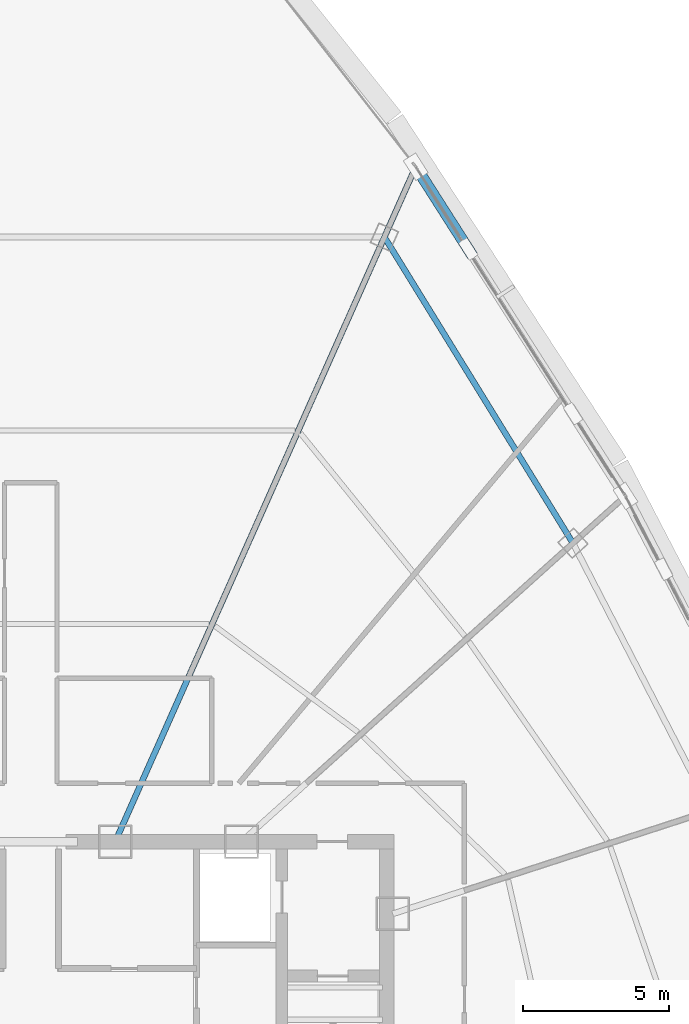
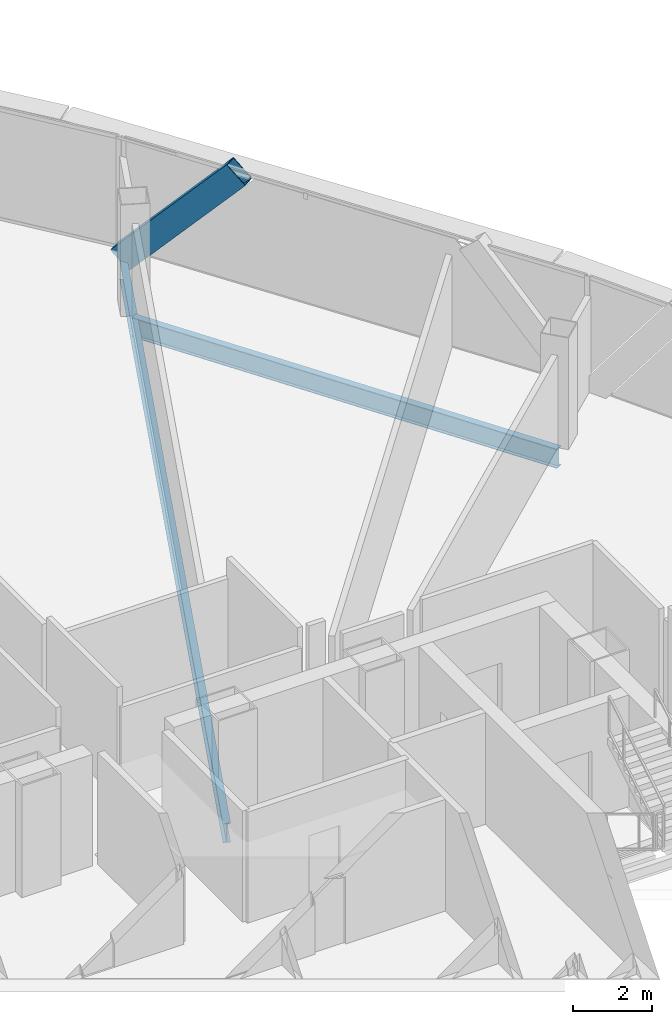
# One storey, part 25 of 40: 2 beams, 1 member.
"""IFC4 building model written with IfcOpenShell, lengths in metres."""

from ifc_helpers import new_model, si_unit, direction, frame, origin, origin_2d, place, context, subcontext, project, spatial, hollow_rectangle, i_section, extrude, source, transform, mapped, material, material_profile, profile_set, type_object, element, save


model = new_model("IFC4")

# Units and contexts
model_context = context("Model", 3, precision=1e-05, world=origin(), true_north=direction((0.0, 1.0)))
body_context = subcontext(model_context, "Body", "Model", "MODEL_VIEW")
ifc_project = project(units=[si_unit("LENGTHUNIT", "METRE"), si_unit("AREAUNIT", "SQUARE_METRE"), si_unit("VOLUMEUNIT", "CUBIC_METRE"), si_unit("PLANEANGLEUNIT", "RADIAN"), si_unit("MASSUNIT", "GRAM", prefix="KILO"), si_unit("THERMODYNAMICTEMPERATUREUNIT", "KELVIN"), si_unit("POWERUNIT", "WATT")], contexts=[model_context])

# Site, building, storey
site_placement = place(None, origin())
site = spatial("IfcSite", under=ifc_project, at=site_placement, CompositionType="ELEMENT")
building_placement = place(site_placement, origin())
building = spatial("IfcBuilding", under=site, at=building_placement, Name="Yunzhuo Pagoda Commons", CompositionType="ELEMENT")
storey_placement = place(building_placement, frame((0.0, 0.0, 288.75)))
storey = spatial("IfcBuildingStorey", under=building, at=storey_placement, Name="L72", CompositionType="ELEMENT", Elevation=288.75)

# Beams
ifc_material = material(Name="Structural steel Q355B", Category="steel")
ifc_material_profile_1 = material_profile(ifc_material, i_section(OverallWidth=0.199951171875, OverallDepth=0.60009765625, WebThickness=0.010986328125, FlangeThickness=0.01708984375, at=origin_2d()), Name="Structural steel Q355B")
ifc_profile_set_1 = profile_set([ifc_material_profile_1], Name="Structural steel Q355B")
beam_type = type_object("IfcBeamType", Name="B-RG3 Beam HN 600x200x11x17", PredefinedType="BEAM", material=ifc_profile_set_1)
shared_shape_1 = source(origin(), body_context, "Body", "SweptSolid", [
    extrude(i_section(OverallWidth=0.199951171875, OverallDepth=0.60009765625, WebThickness=0.010986328125, FlangeThickness=0.01708984375, at=origin_2d()), origin(), (0.0, 0.0, 1.0), 12.315185546875),
])
beam_1_placement = place(storey_placement, frame((66.5732421875, 50.423583984375, -0.56005859375), z_axis=(-0.524469015689, 0.851429534126, 0.0), x_axis=(-0.851429534126, -0.524469015689, 0.0)))
element("IfcBeam", 1, at=beam_1_placement, inside=storey, type_object=beam_type, Name="L72 column-ring beam 7", PredefinedType="BEAM", context=body_context, shape_type="MappedRepresentation", body=[
    mapped(shared_shape_1, transform((0.0, 0.0, 0.0), scale=1.0)),
])
shared_shape_2 = source(origin(), body_context, "Body", "SweptSolid", [
    extrude(i_section(OverallWidth=0.199951171875, OverallDepth=0.60009765625, WebThickness=0.010986328125, FlangeThickness=0.01708984375, at=origin_2d()), origin(), (0.0, 0.0, 1.0), 25.15283203125),
])
beam_2_placement = place(storey_placement, frame((61.12451171875, 63.17822265625, -0.56005859375), z_axis=(-0.40673276589, -0.913547183867, 0.0), x_axis=(0.913547183867, -0.40673276589, 0.0)))
element("IfcBeam", 2, at=beam_2_placement, inside=storey, type_object=beam_type, Name="L72 radial floor girder F2C4", PredefinedType="BEAM", context=body_context, shape_type="MappedRepresentation", body=[
    mapped(shared_shape_2, transform((0.0, 0.0, 0.0), scale=1.0)),
])

# Member
ifc_material_profile_2 = material_profile(ifc_material, hollow_rectangle(XDim=0.3798828125, YDim=0.719970703125, WallThickness=0.02001953125, at=origin_2d()), Name="Structural steel Q355B")
ifc_profile_set_2 = profile_set([ifc_material_profile_2], Name="Structural steel Q355B")
member_type = type_object("IfcMemberType", Name="M-DL3 Brace BOX 720x380x20", PredefinedType="BRACE", material=ifc_profile_set_2)
shared_shape_3 = source(origin(), body_context, "Body", "SweptSolid", [
    extrude(hollow_rectangle(XDim=0.3798828125, YDim=0.719970703125, WallThickness=0.02001953125, at=origin_2d()), origin(), (0.0, 0.0, 1.0), 5.008544921875),
])
member_placement = place(storey_placement, frame((61.1875, 63.319580078125, -0.260009765625), z_axis=(0.358663395256, -0.562806137759, 0.744721303713), x_axis=(0.843312439259, 0.537423603678, 0.0)))
element("IfcMember", 3, at=member_placement, inside=storey, type_object=member_type, Name="L72 facade diamond brace F2.3R", PredefinedType="BRACE", context=body_context, shape_type="MappedRepresentation", body=[
    mapped(shared_shape_3, transform((0.0, 0.0, 0.0), scale=1.0)),
])

save(model, "model.ifc")
